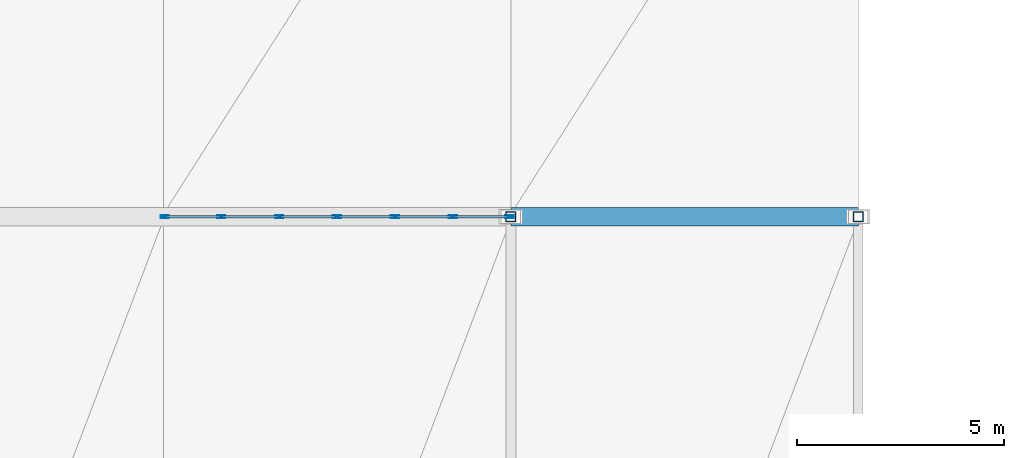
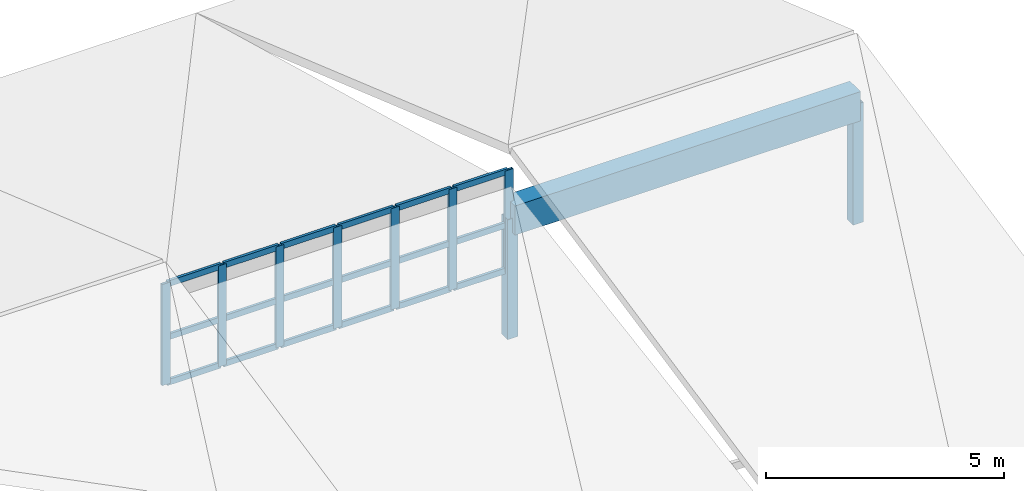
# One storey, part 44 of 76: 27 members, 1 beam, 1 element without a shape of its own.
"""IFC4 building model written with IfcOpenShell, lengths in metres."""

from ifc_helpers import new_model, si_unit, direction, frame, origin, origin_2d, place, context, subcontext, project, spatial, rectangle, hollow_rectangle, extrude, material, layer, layer_set, material_profile, profile_set, type_object, element, aggregate, save


model = new_model("IFC4")

# Units and contexts
model_context = context("Model", 3, precision=1e-05, world=origin(), true_north=direction((0.0, 1.0)))
body_context = subcontext(model_context, "Body", "Model", "MODEL_VIEW")
ifc_project = project(units=[si_unit("LENGTHUNIT", "METRE"), si_unit("AREAUNIT", "SQUARE_METRE"), si_unit("VOLUMEUNIT", "CUBIC_METRE"), si_unit("PLANEANGLEUNIT", "RADIAN"), si_unit("MASSUNIT", "GRAM", prefix="KILO")], contexts=[model_context])

# Site, building, storey
site_placement = place(None, origin())
site = spatial("IfcSite", under=ifc_project, at=site_placement, CompositionType="ELEMENT")
building_placement = place(site_placement, origin())
building = spatial("IfcBuilding", under=site, at=building_placement, Name="Krzemoval Escarpment Law Courts", CompositionType="ELEMENT")
storey_placement = place(building_placement, frame((0.0, 0.0, 20.39990234375)))
storey = spatial("IfcBuildingStorey", under=building, at=storey_placement, Name="L04", CompositionType="ELEMENT", Elevation=20.39990234375)

# Beam
ifc_material_1 = material(Name="Concrete C50/60", Category="concrete")
ifc_material_profile_1 = material_profile(ifc_material_1, rectangle(XDim=0.449951171875, YDim=0.75, at=origin_2d()), Name="FPR 450x750")
ifc_profile_set_1 = profile_set([ifc_material_profile_1], Name="Concrete C50/60")
beam_type = type_object("IfcBeamType", Name="BM-FPR-450x750", PredefinedType="BEAM", material=ifc_profile_set_1)
beam_placement = place(storey_placement, frame((142.800048828125, 22.199951171875, 2.800048828125), z_axis=(1.0, 0.0, 0.0), x_axis=(0.0, 1.0, 0.0)))
element("IfcBeam", 1, at=beam_placement, inside=storey, type_object=beam_type, Name="Library Clerestory Beam RB-2830", PredefinedType="BEAM", context=body_context, shape_type="SweptSolid", body=[
    extrude(rectangle(XDim=0.449951171875, YDim=0.75, at=origin_2d()), origin(), (0.0, 0.0, 1.0), 8.39990234375),
])

# Curtain wall, members
ifc_material_2 = material(Name="Aluminium 6063-T6", Category="aluminium")
ifc_layer = layer(ifc_material_2, 0.199951171875)
ifc_layer_set = layer_set([ifc_layer], Name="Aluminium 6063-T6")
curtain_wall_type = type_object("IfcCurtainWallType", Name="CW-CLER-2800", PredefinedType="USERDEFINED", material=ifc_layer_set)
curtain_wall_placement = place(storey_placement, origin())
curtain_wall = element("IfcCurtainWall", 2, at=curtain_wall_placement, inside=storey, type_object=curtain_wall_type, Name="Clerestory Curtain Wall CW-CLER-V3-02", ObjectType="UNITISED_CURTAIN_WALL", PredefinedType="USERDEFINED")
ifc_material_3 = material(Name="Aluminium 6063-T6", Category="aluminium")
ifc_material_profile_2 = material_profile(ifc_material_3, hollow_rectangle(XDim=0.06494140625, YDim=0.199951171875, WallThickness=0.00439453125, at=origin_2d()), Name="ALU M65x200")
ifc_profile_set_2 = profile_set([ifc_material_profile_2], Name="Aluminium 6063-T6")
member_type_1 = type_object("IfcMemberType", Name="CWM-65x200", PredefinedType="MULLION", material=ifc_profile_set_2)
member_1_placement = place(storey_placement, frame((134.4326171875, 22.199951171875, 1.400146484375), z_axis=(0.0, 0.0, 1.0), x_axis=(0.0, 1.0, 0.0)))
member_1 = element("IfcMember", 3, at=member_1_placement, type_object=member_type_1, Name="CW-CLER-V3-02 mullion 1", PredefinedType="MULLION", context=body_context, shape_type="SweptSolid", body=[
    extrude(hollow_rectangle(XDim=0.06494140625, YDim=0.199951171875, WallThickness=0.00439453125, at=origin_2d()), origin(), (0.0, 0.0, 1.0), 2.599853515625),
])
member_2_placement = place(storey_placement, frame((135.800048828125, 22.199951171875, 1.400146484375), z_axis=(0.0, 0.0, 1.0), x_axis=(0.0, 1.0, 0.0)))
member_2 = element("IfcMember", 4, at=member_2_placement, type_object=member_type_1, Name="CW-CLER-V3-02 mullion 2", PredefinedType="MULLION", context=body_context, shape_type="SweptSolid", body=[
    extrude(hollow_rectangle(XDim=0.06494140625, YDim=0.199951171875, WallThickness=0.00439453125, at=origin_2d()), origin(), (0.0, 0.0, 1.0), 2.599853515625),
])
member_3_placement = place(storey_placement, frame((137.199951171875, 22.199951171875, 1.400146484375), z_axis=(0.0, 0.0, 1.0), x_axis=(0.0, 1.0, 0.0)))
member_3 = element("IfcMember", 5, at=member_3_placement, type_object=member_type_1, Name="CW-CLER-V3-02 mullion 3", PredefinedType="MULLION", context=body_context, shape_type="SweptSolid", body=[
    extrude(hollow_rectangle(XDim=0.06494140625, YDim=0.199951171875, WallThickness=0.00439453125, at=origin_2d()), origin(), (0.0, 0.0, 1.0), 2.599853515625),
])
member_4_placement = place(storey_placement, frame((138.60009765625, 22.199951171875, 1.400146484375), z_axis=(0.0, 0.0, 1.0), x_axis=(0.0, 1.0, 0.0)))
member_4 = element("IfcMember", 6, at=member_4_placement, type_object=member_type_1, Name="CW-CLER-V3-02 mullion 4", PredefinedType="MULLION", context=body_context, shape_type="SweptSolid", body=[
    extrude(hollow_rectangle(XDim=0.06494140625, YDim=0.199951171875, WallThickness=0.00439453125, at=origin_2d()), origin(), (0.0, 0.0, 1.0), 2.599853515625),
])
member_5_placement = place(storey_placement, frame((140.0, 22.199951171875, 1.400146484375), z_axis=(0.0, 0.0, 1.0), x_axis=(0.0, 1.0, 0.0)))
member_5 = element("IfcMember", 7, at=member_5_placement, type_object=member_type_1, Name="CW-CLER-V3-02 mullion 5", PredefinedType="MULLION", context=body_context, shape_type="SweptSolid", body=[
    extrude(hollow_rectangle(XDim=0.06494140625, YDim=0.199951171875, WallThickness=0.00439453125, at=origin_2d()), origin(), (0.0, 0.0, 1.0), 2.599853515625),
])
member_6_placement = place(storey_placement, frame((141.39990234375, 22.199951171875, 1.400146484375), z_axis=(0.0, 0.0, 1.0), x_axis=(0.0, 1.0, 0.0)))
member_6 = element("IfcMember", 8, at=member_6_placement, type_object=member_type_1, Name="CW-CLER-V3-02 mullion 6", PredefinedType="MULLION", context=body_context, shape_type="SweptSolid", body=[
    extrude(hollow_rectangle(XDim=0.06494140625, YDim=0.199951171875, WallThickness=0.00439453125, at=origin_2d()), origin(), (0.0, 0.0, 1.0), 2.599853515625),
])
member_7_placement = place(storey_placement, frame((142.767578125, 22.199951171875, 1.400146484375), z_axis=(0.0, 0.0, 1.0), x_axis=(0.0, 1.0, 0.0)))
member_7 = element("IfcMember", 9, at=member_7_placement, type_object=member_type_1, Name="CW-CLER-V3-02 mullion 7", PredefinedType="MULLION", context=body_context, shape_type="SweptSolid", body=[
    extrude(hollow_rectangle(XDim=0.06494140625, YDim=0.199951171875, WallThickness=0.00439453125, at=origin_2d()), origin(), (0.0, 0.0, 1.0), 2.599853515625),
])
ifc_material_4 = material(Name="Aluminium 6063-T6", Category="aluminium")
ifc_material_profile_3 = material_profile(ifc_material_4, hollow_rectangle(XDim=0.06494140625, YDim=0.14990234375, WallThickness=0.00439453125, at=origin_2d()), Name="ALU T65x150")
ifc_profile_set_3 = profile_set([ifc_material_profile_3], Name="Aluminium 6063-T6")
member_type_2 = type_object("IfcMemberType", Name="CWT-65x150", PredefinedType="USERDEFINED", material=ifc_profile_set_3)
member_8_placement = place(storey_placement, frame((134.465087890625, 22.199951171875, 1.4326171875), z_axis=(1.0, 0.0, 0.0), x_axis=(0.0, 1.0, 0.0)))
member_8 = element("IfcMember", 10, at=member_8_placement, type_object=member_type_2, Name="CW-CLER-V3-02 transom 1.1", ObjectType="TRANSOM", PredefinedType="USERDEFINED", context=body_context, shape_type="SweptSolid", body=[
    extrude(hollow_rectangle(XDim=0.06494140625, YDim=0.14990234375, WallThickness=0.00439453125, at=origin_2d()), origin(), (0.0, 0.0, 1.0), 1.302490234375),
])
member_9_placement = place(storey_placement, frame((134.465087890625, 22.199951171875, 2.60009765625), z_axis=(1.0, 0.0, 0.0), x_axis=(0.0, 1.0, 0.0)))
member_9 = element("IfcMember", 11, at=member_9_placement, type_object=member_type_2, Name="CW-CLER-V3-02 transom 1.2", ObjectType="TRANSOM", PredefinedType="USERDEFINED", context=body_context, shape_type="SweptSolid", body=[
    extrude(hollow_rectangle(XDim=0.06494140625, YDim=0.14990234375, WallThickness=0.00439453125, at=origin_2d()), origin(), (0.0, 0.0, 1.0), 1.302490234375),
])
member_10_placement = place(storey_placement, frame((134.465087890625, 22.199951171875, 3.967529296875), z_axis=(1.0, 0.0, 0.0), x_axis=(0.0, 1.0, 0.0)))
member_10 = element("IfcMember", 12, at=member_10_placement, type_object=member_type_2, Name="CW-CLER-V3-02 transom 1.3", ObjectType="TRANSOM", PredefinedType="USERDEFINED", context=body_context, shape_type="SweptSolid", body=[
    extrude(hollow_rectangle(XDim=0.06494140625, YDim=0.14990234375, WallThickness=0.00439453125, at=origin_2d()), origin(), (0.0, 0.0, 1.0), 1.302490234375),
])
member_11_placement = place(storey_placement, frame((135.83251953125, 22.199951171875, 1.4326171875), z_axis=(1.0, 0.0, 0.0), x_axis=(0.0, 1.0, 0.0)))
member_11 = element("IfcMember", 13, at=member_11_placement, type_object=member_type_2, Name="CW-CLER-V3-02 transom 2.1", ObjectType="TRANSOM", PredefinedType="USERDEFINED", context=body_context, shape_type="SweptSolid", body=[
    extrude(hollow_rectangle(XDim=0.06494140625, YDim=0.14990234375, WallThickness=0.00439453125, at=origin_2d()), origin(), (0.0, 0.0, 1.0), 1.3349609375),
])
member_12_placement = place(storey_placement, frame((135.83251953125, 22.199951171875, 2.60009765625), z_axis=(1.0, 0.0, 0.0), x_axis=(0.0, 1.0, 0.0)))
member_12 = element("IfcMember", 14, at=member_12_placement, type_object=member_type_2, Name="CW-CLER-V3-02 transom 2.2", ObjectType="TRANSOM", PredefinedType="USERDEFINED", context=body_context, shape_type="SweptSolid", body=[
    extrude(hollow_rectangle(XDim=0.06494140625, YDim=0.14990234375, WallThickness=0.00439453125, at=origin_2d()), origin(), (0.0, 0.0, 1.0), 1.3349609375),
])
member_13_placement = place(storey_placement, frame((135.83251953125, 22.199951171875, 3.967529296875), z_axis=(1.0, 0.0, 0.0), x_axis=(0.0, 1.0, 0.0)))
member_13 = element("IfcMember", 15, at=member_13_placement, type_object=member_type_2, Name="CW-CLER-V3-02 transom 2.3", ObjectType="TRANSOM", PredefinedType="USERDEFINED", context=body_context, shape_type="SweptSolid", body=[
    extrude(hollow_rectangle(XDim=0.06494140625, YDim=0.14990234375, WallThickness=0.00439453125, at=origin_2d()), origin(), (0.0, 0.0, 1.0), 1.3349609375),
])
member_14_placement = place(storey_placement, frame((137.232421875, 22.199951171875, 1.4326171875), z_axis=(1.0, 0.0, 0.0), x_axis=(0.0, 1.0, 0.0)))
member_14 = element("IfcMember", 16, at=member_14_placement, type_object=member_type_2, Name="CW-CLER-V3-02 transom 3.1", ObjectType="TRANSOM", PredefinedType="USERDEFINED", context=body_context, shape_type="SweptSolid", body=[
    extrude(hollow_rectangle(XDim=0.06494140625, YDim=0.14990234375, WallThickness=0.00439453125, at=origin_2d()), origin(), (0.0, 0.0, 1.0), 1.3349609375),
])
member_15_placement = place(storey_placement, frame((137.232421875, 22.199951171875, 2.60009765625), z_axis=(1.0, 0.0, 0.0), x_axis=(0.0, 1.0, 0.0)))
member_15 = element("IfcMember", 17, at=member_15_placement, type_object=member_type_2, Name="CW-CLER-V3-02 transom 3.2", ObjectType="TRANSOM", PredefinedType="USERDEFINED", context=body_context, shape_type="SweptSolid", body=[
    extrude(hollow_rectangle(XDim=0.06494140625, YDim=0.14990234375, WallThickness=0.00439453125, at=origin_2d()), origin(), (0.0, 0.0, 1.0), 1.3349609375),
])
member_16_placement = place(storey_placement, frame((137.232421875, 22.199951171875, 3.967529296875), z_axis=(1.0, 0.0, 0.0), x_axis=(0.0, 1.0, 0.0)))
member_16 = element("IfcMember", 18, at=member_16_placement, type_object=member_type_2, Name="CW-CLER-V3-02 transom 3.3", ObjectType="TRANSOM", PredefinedType="USERDEFINED", context=body_context, shape_type="SweptSolid", body=[
    extrude(hollow_rectangle(XDim=0.06494140625, YDim=0.14990234375, WallThickness=0.00439453125, at=origin_2d()), origin(), (0.0, 0.0, 1.0), 1.3349609375),
])
member_17_placement = place(storey_placement, frame((138.632568359375, 22.199951171875, 1.4326171875), z_axis=(1.0, 0.0, 0.0), x_axis=(0.0, 1.0, 0.0)))
member_17 = element("IfcMember", 19, at=member_17_placement, type_object=member_type_2, Name="CW-CLER-V3-02 transom 4.1", ObjectType="TRANSOM", PredefinedType="USERDEFINED", context=body_context, shape_type="SweptSolid", body=[
    extrude(hollow_rectangle(XDim=0.06494140625, YDim=0.14990234375, WallThickness=0.00439453125, at=origin_2d()), origin(), (0.0, 0.0, 1.0), 1.3349609375),
])
member_18_placement = place(storey_placement, frame((138.632568359375, 22.199951171875, 2.60009765625), z_axis=(1.0, 0.0, 0.0), x_axis=(0.0, 1.0, 0.0)))
member_18 = element("IfcMember", 20, at=member_18_placement, type_object=member_type_2, Name="CW-CLER-V3-02 transom 4.2", ObjectType="TRANSOM", PredefinedType="USERDEFINED", context=body_context, shape_type="SweptSolid", body=[
    extrude(hollow_rectangle(XDim=0.06494140625, YDim=0.14990234375, WallThickness=0.00439453125, at=origin_2d()), origin(), (0.0, 0.0, 1.0), 1.3349609375),
])
member_19_placement = place(storey_placement, frame((138.632568359375, 22.199951171875, 3.967529296875), z_axis=(1.0, 0.0, 0.0), x_axis=(0.0, 1.0, 0.0)))
member_19 = element("IfcMember", 21, at=member_19_placement, type_object=member_type_2, Name="CW-CLER-V3-02 transom 4.3", ObjectType="TRANSOM", PredefinedType="USERDEFINED", context=body_context, shape_type="SweptSolid", body=[
    extrude(hollow_rectangle(XDim=0.06494140625, YDim=0.14990234375, WallThickness=0.00439453125, at=origin_2d()), origin(), (0.0, 0.0, 1.0), 1.3349609375),
])
member_20_placement = place(storey_placement, frame((140.032470703125, 22.199951171875, 1.4326171875), z_axis=(1.0, 0.0, 0.0), x_axis=(0.0, 1.0, 0.0)))
member_20 = element("IfcMember", 22, at=member_20_placement, type_object=member_type_2, Name="CW-CLER-V3-02 transom 5.1", ObjectType="TRANSOM", PredefinedType="USERDEFINED", context=body_context, shape_type="SweptSolid", body=[
    extrude(hollow_rectangle(XDim=0.06494140625, YDim=0.14990234375, WallThickness=0.00439453125, at=origin_2d()), origin(), (0.0, 0.0, 1.0), 1.3349609375),
])
member_21_placement = place(storey_placement, frame((140.032470703125, 22.199951171875, 2.60009765625), z_axis=(1.0, 0.0, 0.0), x_axis=(0.0, 1.0, 0.0)))
member_21 = element("IfcMember", 23, at=member_21_placement, type_object=member_type_2, Name="CW-CLER-V3-02 transom 5.2", ObjectType="TRANSOM", PredefinedType="USERDEFINED", context=body_context, shape_type="SweptSolid", body=[
    extrude(hollow_rectangle(XDim=0.06494140625, YDim=0.14990234375, WallThickness=0.00439453125, at=origin_2d()), origin(), (0.0, 0.0, 1.0), 1.3349609375),
])
member_22_placement = place(storey_placement, frame((140.032470703125, 22.199951171875, 3.967529296875), z_axis=(1.0, 0.0, 0.0), x_axis=(0.0, 1.0, 0.0)))
member_22 = element("IfcMember", 24, at=member_22_placement, type_object=member_type_2, Name="CW-CLER-V3-02 transom 5.3", ObjectType="TRANSOM", PredefinedType="USERDEFINED", context=body_context, shape_type="SweptSolid", body=[
    extrude(hollow_rectangle(XDim=0.06494140625, YDim=0.14990234375, WallThickness=0.00439453125, at=origin_2d()), origin(), (0.0, 0.0, 1.0), 1.3349609375),
])
member_23_placement = place(storey_placement, frame((141.4326171875, 22.199951171875, 1.4326171875), z_axis=(1.0, 0.0, 0.0), x_axis=(0.0, 1.0, 0.0)))
member_23 = element("IfcMember", 25, at=member_23_placement, type_object=member_type_2, Name="CW-CLER-V3-02 transom 6.1", ObjectType="TRANSOM", PredefinedType="USERDEFINED", context=body_context, shape_type="SweptSolid", body=[
    extrude(hollow_rectangle(XDim=0.06494140625, YDim=0.14990234375, WallThickness=0.00439453125, at=origin_2d()), origin(), (0.0, 0.0, 1.0), 1.302490234375),
])
member_24_placement = place(storey_placement, frame((141.4326171875, 22.199951171875, 2.60009765625), z_axis=(1.0, 0.0, 0.0), x_axis=(0.0, 1.0, 0.0)))
member_24 = element("IfcMember", 26, at=member_24_placement, type_object=member_type_2, Name="CW-CLER-V3-02 transom 6.2", ObjectType="TRANSOM", PredefinedType="USERDEFINED", context=body_context, shape_type="SweptSolid", body=[
    extrude(hollow_rectangle(XDim=0.06494140625, YDim=0.14990234375, WallThickness=0.00439453125, at=origin_2d()), origin(), (0.0, 0.0, 1.0), 1.302490234375),
])
member_25_placement = place(storey_placement, frame((141.4326171875, 22.199951171875, 3.967529296875), z_axis=(1.0, 0.0, 0.0), x_axis=(0.0, 1.0, 0.0)))
member_25 = element("IfcMember", 27, at=member_25_placement, type_object=member_type_2, Name="CW-CLER-V3-02 transom 6.3", ObjectType="TRANSOM", PredefinedType="USERDEFINED", context=body_context, shape_type="SweptSolid", body=[
    extrude(hollow_rectangle(XDim=0.06494140625, YDim=0.14990234375, WallThickness=0.00439453125, at=origin_2d()), origin(), (0.0, 0.0, 1.0), 1.302490234375),
])
aggregate(curtain_wall, [member_1, member_2, member_3, member_4, member_5, member_6, member_7, member_8, member_9, member_10, member_11, member_12, member_13, member_14, member_15, member_16, member_17, member_18, member_19, member_20, member_21, member_22, member_23, member_24, member_25])

# Members
ifc_material_5 = material(Name="Steel S355", Category="steel")
ifc_material_profile_4 = material_profile(ifc_material_5, hollow_rectangle(XDim=0.25, YDim=0.25, WallThickness=0.012451171875, at=origin_2d()), Name="SHS 250x250x12.5")
ifc_profile_set_4 = profile_set([ifc_material_profile_4], Name="Steel S355")
member_type_3 = type_object("IfcMemberType", Name="MBR-STR-SHS250", PredefinedType="STRUT", material=ifc_profile_set_4)
for number, where, z_axis, x_axis, name in (
    (28, (142.800048828125, 22.199951171875, -0.27978515625), (0.0, 0.0, 1.0), (1.0, 0.0, 0.0), "Library Ridge King Strut V3-RST-1428"),
    (29, (151.199951171875, 22.199951171875, -0.27978515625), (0.0, 0.0, 1.0), (1.0, 0.0, 0.0), "Library Ridge King Strut V3-RST-1512"),
):
    element("IfcMember", number, at=place(storey_placement, frame(where, z_axis=z_axis, x_axis=x_axis)), inside=storey, type_object=member_type_3, Name=name, PredefinedType="STRUT", context=body_context, shape_type="SweptSolid", body=[
        extrude(hollow_rectangle(XDim=0.25, YDim=0.25, WallThickness=0.012451171875, at=origin_2d()), origin(), (0.0, 0.0, 1.0), 3.079833984375),
    ])

save(model, "model.ifc")
